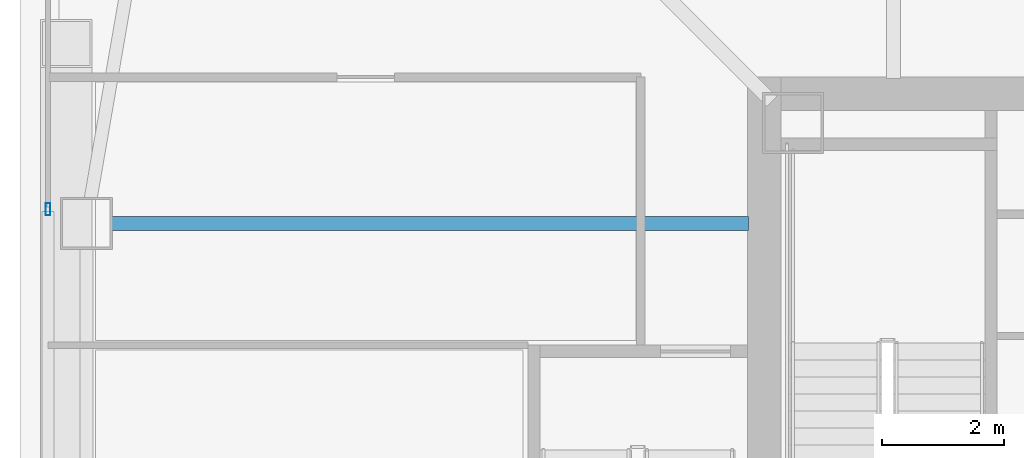
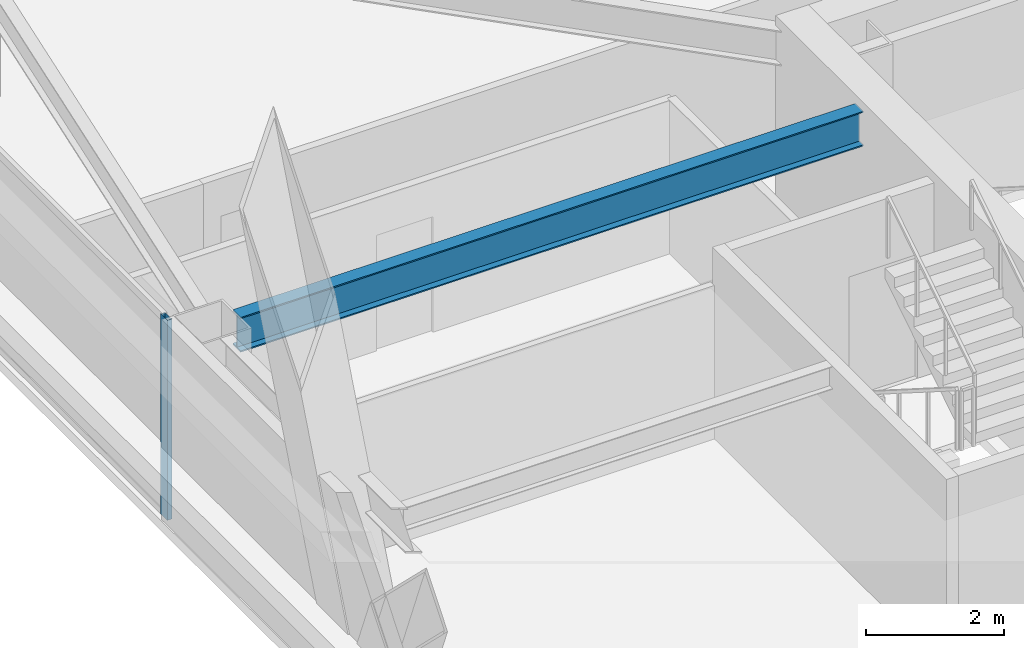
# One storey, part 9 of 50: 1 beam, 1 member, 1 element without a shape of its own.
"""IFC4 building model written with IfcOpenShell, lengths in metres."""

from ifc_helpers import new_model, si_unit, direction, frame, origin, origin_2d, place, context, subcontext, project, spatial, hollow_rectangle, i_section, extrude, material, material_profile, profile_set, type_object, element, aggregate, save


model = new_model("IFC4")

# Units and contexts
model_context = context("Model", 3, precision=1e-05, world=origin(), true_north=direction((0.0, 1.0)))
body_context = subcontext(model_context, "Body", "Model", "MODEL_VIEW")
ifc_project = project(units=[si_unit("LENGTHUNIT", "METRE"), si_unit("AREAUNIT", "SQUARE_METRE"), si_unit("VOLUMEUNIT", "CUBIC_METRE"), si_unit("PLANEANGLEUNIT", "RADIAN"), si_unit("MASSUNIT", "GRAM", prefix="KILO")], contexts=[model_context])

# Site, building, storey
site_placement = place(None, origin())
site = spatial("IfcSite", under=ifc_project, at=site_placement, CompositionType="ELEMENT")
building_placement = place(site_placement, origin())
building = spatial("IfcBuilding", under=site, at=building_placement, Name="Tashvorn Skyway Center", CompositionType="ELEMENT")
storey_placement = place(building_placement, frame((0.0, 0.0, 114.39990234375)))
storey = spatial("IfcBuildingStorey", under=building, at=storey_placement, Name="L30", CompositionType="ELEMENT", Elevation=114.39990234375)

# Beam
ifc_material_1 = material(Name="Steel ASTM A992 Grade 50", Category="steel")
ifc_material_profile_1 = material_profile(ifc_material_1, i_section(OverallWidth=0.22998046875, OverallDepth=0.616943359375, WebThickness=0.01318359375, FlangeThickness=0.022216796875, at=origin_2d()), Name="W24X94")
ifc_profile_set_1 = profile_set([ifc_material_profile_1], Name="Steel ASTM A992 Grade 50")
beam_type = type_object("IfcBeamType", Name="BM-BEAM-W24X94", PredefinedType="BEAM", material=ifc_profile_set_1)
beam_placement = place(storey_placement, frame((23.77001953125, 37.39990234375, 3.0615234375), z_axis=(1.0, 0.0, 0.0), x_axis=(0.0, 1.0, 0.0)))
element("IfcBeam", 1, at=beam_placement, inside=storey, type_object=beam_type, Name="Tower 1 L30 Primary Floor Girder FC-W1", PredefinedType="BEAM", context=body_context, shape_type="SweptSolid", body=[
    extrude(i_section(OverallWidth=0.22998046875, OverallDepth=0.616943359375, WebThickness=0.01318359375, FlangeThickness=0.022216796875, at=origin_2d()), origin(), (0.0, 0.0, 1.0), 10.449951171875),
])

# Curtain wall, member
ifc_material_2 = material(Name="Thermally broken bronze-anodized aluminium 6063-T6", Category="aluminium")
curtain_wall_type = type_object("IfcCurtainWallType", Name="CW-CW-Z3", PredefinedType="NOTDEFINED", material=ifc_material_2)
curtain_wall_placement = place(storey_placement, origin())
curtain_wall = element("IfcCurtainWall", 2, at=curtain_wall_placement, inside=storey, type_object=curtain_wall_type, Name="Tower 1 L30 West Unitised Curtain Wall Glazing Group 2", PredefinedType="NOTDEFINED")
ifc_material_profile_2 = material_profile(ifc_material_2, hollow_rectangle(XDim=0.074951171875, YDim=0.199951171875, WallThickness=0.00439453125, at=origin_2d()), Name="ALU-MULL-75x200")
ifc_profile_set_2 = profile_set([ifc_material_profile_2], Name="Thermally broken bronze-anodized aluminium 6063-T6")
member_type = type_object("IfcMemberType", Name="CWM-CW-Z3", PredefinedType="MULLION", material=ifc_profile_set_2)
member_placement = place(storey_placement, frame((22.719970703125, 37.630859375, 0.0), z_axis=(0.0, 0.0, 1.0), x_axis=(-1.0, 0.0, 0.0)))
member = element("IfcMember", 3, at=member_placement, type_object=member_type, Name="CW-Z3 mullion 1", PredefinedType="MULLION", context=body_context, shape_type="SweptSolid", body=[
    extrude(hollow_rectangle(XDim=0.074951171875, YDim=0.199951171875, WallThickness=0.00439453125, at=origin_2d()), origin(), (0.0, 0.0, 1.0), 3.550048828125),
])
aggregate(curtain_wall, [member])

save(model, "model.ifc")
